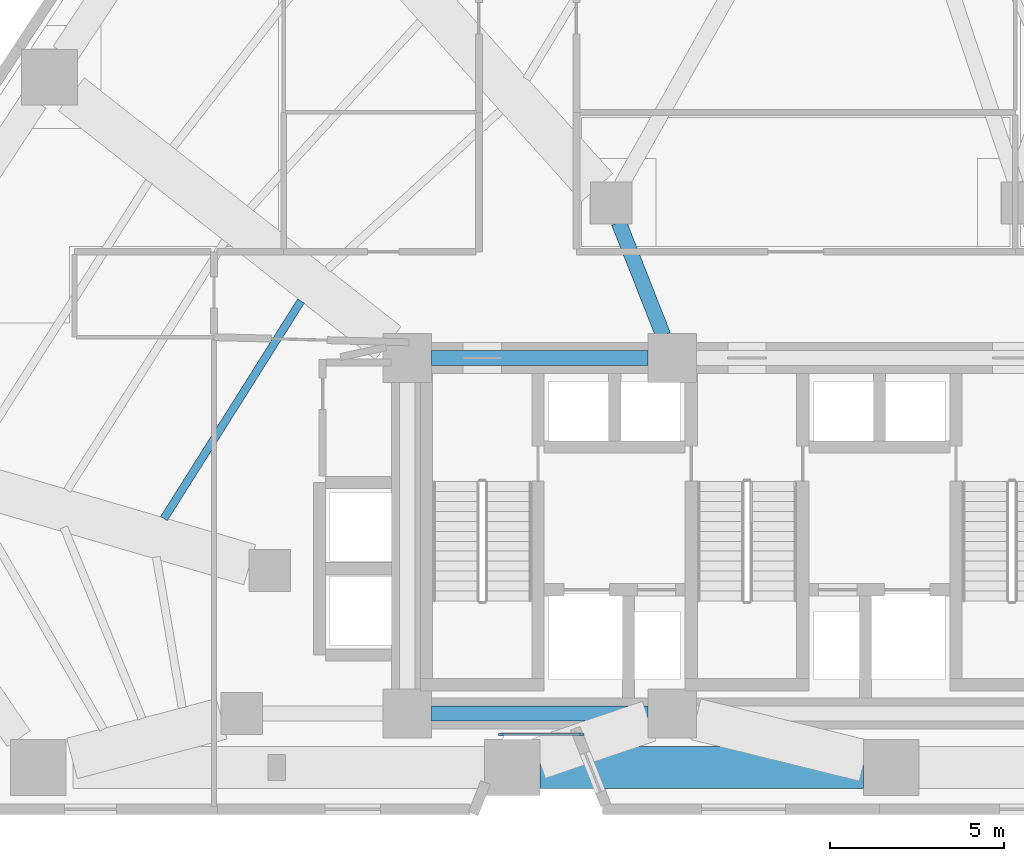
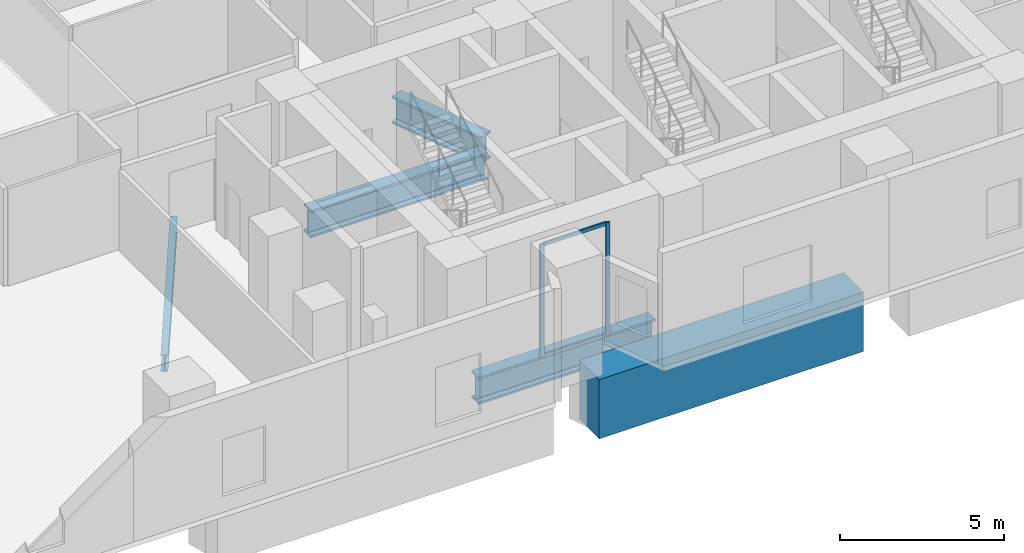
# One storey, part 2 of 15: 5 beams, 4 members, 1 element without a shape of its own.
"""IFC4 building model written with IfcOpenShell, lengths in metres."""

from ifc_helpers import new_model, si_unit, direction, frame, origin, origin_2d, place, context, subcontext, project, spatial, rectangle, i_section, extrude, material, layer, layer_set, material_profile, profile_set, type_object, element, aggregate, save


model = new_model("IFC4")

# Units and contexts
model_context = context("Model", 3, precision=1e-05, world=origin(), true_north=direction((0.0, 1.0)))
body_context = subcontext(model_context, "Body", "Model", "MODEL_VIEW")
ifc_project = project(units=[si_unit("LENGTHUNIT", "METRE"), si_unit("AREAUNIT", "SQUARE_METRE"), si_unit("VOLUMEUNIT", "CUBIC_METRE"), si_unit("PLANEANGLEUNIT", "RADIAN"), si_unit("MASSUNIT", "GRAM", prefix="KILO")], contexts=[model_context])

# Site, building, storey
site_placement = place(None, origin())
site = spatial("IfcSite", under=ifc_project, at=site_placement, CompositionType="ELEMENT")
building_placement = place(site_placement, origin())
building = spatial("IfcBuilding", under=site, at=building_placement, Name="Almagre Mirador Tower", CompositionType="ELEMENT")
storey_placement = place(building_placement, frame((0.0, 0.0, 8.39990234375)))
storey = spatial("IfcBuildingStorey", under=building, at=storey_placement, Name="L01", CompositionType="ELEMENT", Elevation=8.39990234375)

# Beams
ifc_material_1 = material(Name="Steel ASTM A992 Grade 50", Category="steel")
ifc_material_profile_1 = material_profile(ifc_material_1, i_section(OverallWidth=0.22802734375, OverallDepth=0.60791015625, WebThickness=0.01123046875, FlangeThickness=0.017333984375, FilletRadius=0.02001953125, at=origin_2d()), Name="W24X76")
ifc_profile_set_1 = profile_set([ifc_material_profile_1], Name="Steel ASTM A992 Grade 50")
beam_type_1 = type_object("IfcBeamType", Name="BM-JST-W24X76", PredefinedType="JOIST", material=ifc_profile_set_1)
beam_1_placement = place(storey_placement, frame((24.49853515625, 16.38720703125, -0.60400390625), z_axis=(-0.532923780166, -0.84616324934, 0.0), x_axis=(0.84616324934, -0.532923780166, 0.0)))
element("IfcBeam", 1, at=beam_1_placement, inside=storey, type_object=beam_type_1, Name="L01 secondary floor joist PC11-PC12.3", PredefinedType="JOIST", context=body_context, shape_type="SweptSolid", body=[
    extrude(i_section(OverallWidth=0.22802734375, OverallDepth=0.60791015625, WebThickness=0.01123046875, FlangeThickness=0.017333984375, FilletRadius=0.02001953125, at=origin_2d()), origin(), (0.0, 0.0, 1.0), 7.382568359375),
])
ifc_material_2 = material(Name="Steel ASTM A992 Grade 50", Category="steel")
ifc_material_profile_2 = material_profile(ifc_material_2, i_section(OverallWidth=0.43701171875, OverallDepth=1.010986328125, WebThickness=0.041015625, FlangeThickness=0.073974609375, FilletRadius=0.028076171875, at=origin_2d()), Name="W36X529")
ifc_profile_set_2 = profile_set([ifc_material_profile_2], Name="Steel ASTM A992 Grade 50")
beam_type_2 = type_object("IfcBeamType", Name="BM-STL-W36X529", PredefinedType="BEAM", material=ifc_profile_set_2)
for number, where, z_axis, x_axis, name in (
    (2, (28.25, 4.550048828125, -0.805419921875), (1.0, 0.0, 0.0), (0.0, 1.0, 0.0), "L01 core tie girder CC1-CC2"),
    (3, (28.25, 14.75, -0.805419921875), (1.0, 0.0, 0.0), (0.0, 1.0, 0.0), "L01 core tie girder CC4-CC5"),
):
    element("IfcBeam", number, at=place(storey_placement, frame(where, z_axis=z_axis, x_axis=x_axis)), inside=storey, type_object=beam_type_2, Name=name, PredefinedType="BEAM", context=body_context, shape_type="SweptSolid", body=[
        extrude(i_section(OverallWidth=0.43701171875, OverallDepth=1.010986328125, WebThickness=0.041015625, FlangeThickness=0.073974609375, FilletRadius=0.028076171875, at=origin_2d()), origin(), (0.0, 0.0, 1.0), 6.199951171875),
    ])
beam_2_placement = place(storey_placement, frame((33.61962890625, 18.6416015625, -0.805419921875), z_axis=(0.365956076985, -0.93063212373, 0.0), x_axis=(0.93063212373, 0.365956076985, 0.0)))
element("IfcBeam", 4, at=beam_2_placement, inside=storey, type_object=beam_type_2, Name="L01 core tie girder MC8-CC5", PredefinedType="BEAM", context=body_context, shape_type="SweptSolid", body=[
    extrude(i_section(OverallWidth=0.43701171875, OverallDepth=1.010986328125, WebThickness=0.041015625, FlangeThickness=0.073974609375, FilletRadius=0.028076171875, at=origin_2d()), origin(), (0.0, 0.0, 1.0), 3.481689453125),
])
ifc_material_3 = material(Name="Concrete C60/75", Category="concrete")
ifc_material_profile_3 = material_profile(ifc_material_3, rectangle(XDim=1.199951171875, YDim=2.199951171875, at=origin_2d()), Name="RC1200X2200")
ifc_profile_set_3 = profile_set([ifc_material_profile_3], Name="Concrete C60/75")
beam_type_3 = type_object("IfcBeamType", Name="BM-XFER-RC1200X2200", PredefinedType="BEAM", material=ifc_profile_set_3)
beam_3_placement = place(storey_placement, frame((31.360107421875, 3.0, -1.39990234375), z_axis=(1.0, 0.0, 0.0), x_axis=(0.0, 1.0, 0.0)))
element("IfcBeam", 5, at=beam_3_placement, inside=storey, type_object=beam_type_3, Name="L01 perimeter spandrel beam PC02-PC03", PredefinedType="BEAM", context=body_context, shape_type="SweptSolid", body=[
    extrude(rectangle(XDim=1.199951171875, YDim=2.199951171875, at=origin_2d()), origin(), (0.0, 0.0, 1.0), 9.27978515625),
])

# Curtain wall, members
ifc_material_4 = material(Name="Black anodized aluminium", Category="aluminium")
ifc_layer = layer(ifc_material_4, 0.169921875)
ifc_layer_set = layer_set([ifc_layer], Name="Black anodized aluminium")
curtain_wall_type = type_object("IfcCurtainWallType", Name="CW-CRS-SYS", PredefinedType="NOTDEFINED", material=ifc_layer_set)
curtain_wall_placement = place(storey_placement, origin())
curtain_wall = element("IfcCurtainWall", 6, at=curtain_wall_placement, inside=storey, type_object=curtain_wall_type, Name="L01 vertical crease curtain wall 06", PredefinedType="NOTDEFINED")
ifc_material_5 = material(Name="Black anodized aluminium", Category="aluminium")
ifc_material_profile_4 = material_profile(ifc_material_5, rectangle(XDim=0.06005859375, YDim=0.14990234375, at=origin_2d()), Name="CWM60X150")
ifc_profile_set_4 = profile_set([ifc_material_profile_4], Name="Black anodized aluminium")
member_type_1 = type_object("IfcMemberType", Name="MBR-CWM60X150", PredefinedType="MULLION", material=ifc_profile_set_4)
member_1_placement = place(storey_placement, frame((32.547119140625, 3.949951171875, 0.0), z_axis=(0.0, 0.0, 1.0), x_axis=(0.0, -1.0, 0.0)))
member_1 = element("IfcMember", 7, at=member_1_placement, type_object=member_type_1, Name="CW-4 mullion 1", PredefinedType="MULLION", context=body_context, shape_type="SweptSolid", body=[
    extrude(rectangle(XDim=0.06005859375, YDim=0.14990234375, at=origin_2d()), origin(), (0.0, 0.0, 1.0), 4.2001953125),
])
member_2_placement = place(storey_placement, frame((30.237060546875, 3.949951171875, 0.0), z_axis=(0.0, 0.0, 1.0), x_axis=(0.0, -1.0, 0.0)))
member_2 = element("IfcMember", 8, at=member_2_placement, type_object=member_type_1, Name="CW-4 mullion 2", PredefinedType="MULLION", context=body_context, shape_type="SweptSolid", body=[
    extrude(rectangle(XDim=0.06005859375, YDim=0.14990234375, at=origin_2d()), origin(), (0.0, 0.0, 1.0), 4.2001953125),
])
ifc_material_6 = material(Name="Black anodized aluminium", Category="aluminium")
ifc_material_profile_5 = material_profile(ifc_material_6, rectangle(XDim=0.06005859375, YDim=0.1298828125, at=origin_2d()), Name="CWT60X130")
ifc_profile_set_5 = profile_set([ifc_material_profile_5], Name="Black anodized aluminium")
member_type_2 = type_object("IfcMemberType", Name="MBR-CWT60X130", PredefinedType="USERDEFINED", material=ifc_profile_set_5)
member_3_placement = place(storey_placement, frame((32.51708984375, 3.949951171875, 0.030029296875), z_axis=(-1.0, 0.0, 0.0), x_axis=(0.0, -1.0, 0.0)))
member_3 = element("IfcMember", 9, at=member_3_placement, type_object=member_type_2, Name="CW-4 transom 1.1", ObjectType="TRANSOM", PredefinedType="USERDEFINED", context=body_context, shape_type="SweptSolid", body=[
    extrude(rectangle(XDim=0.06005859375, YDim=0.1298828125, at=origin_2d()), origin(), (0.0, 0.0, 1.0), 2.25),
])
member_4_placement = place(storey_placement, frame((32.51708984375, 3.949951171875, 4.170166015625), z_axis=(-1.0, 0.0, 0.0), x_axis=(0.0, -1.0, 0.0)))
member_4 = element("IfcMember", 10, at=member_4_placement, type_object=member_type_2, Name="CW-4 transom 1.2", ObjectType="TRANSOM", PredefinedType="USERDEFINED", context=body_context, shape_type="SweptSolid", body=[
    extrude(rectangle(XDim=0.06005859375, YDim=0.1298828125, at=origin_2d()), origin(), (0.0, 0.0, 1.0), 2.25),
])
aggregate(curtain_wall, [member_1, member_2, member_3, member_4])

save(model, "model.ifc")
